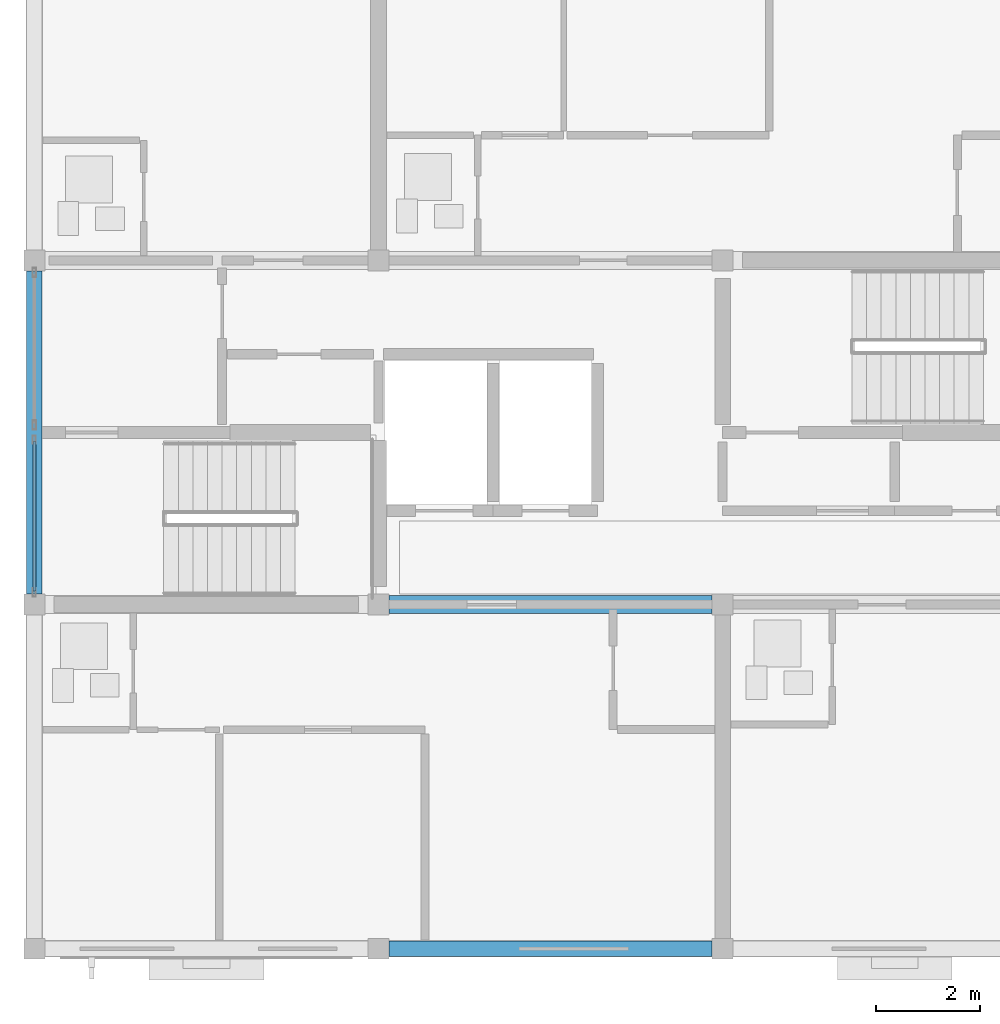
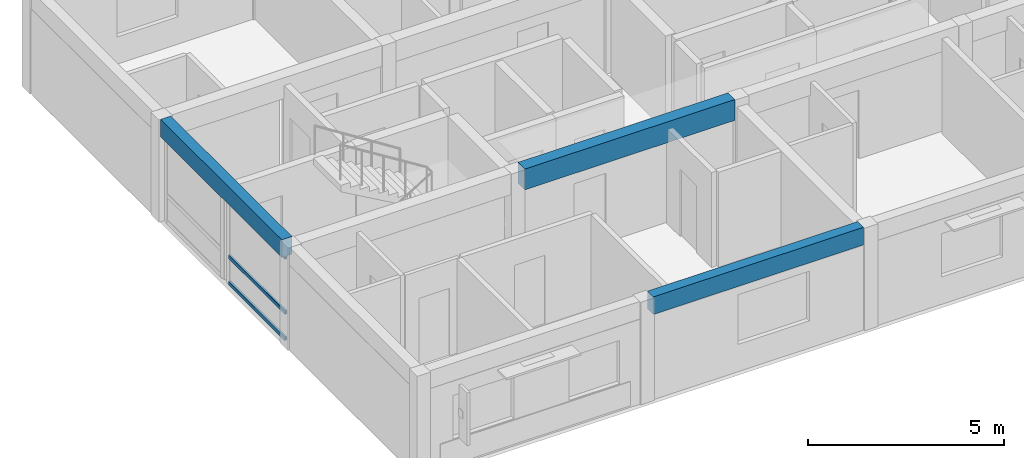
# One storey, part 5 of 53: 3 beams, 3 members, 1 element without a shape of its own.
"""IFC4 building model written with IfcOpenShell, lengths in metres."""

from ifc_helpers import new_model, si_unit, direction, frame, origin, origin_2d, place, context, subcontext, project, spatial, rectangle, hollow_rectangle, extrude, material, material_profile, profile_set, type_object, element, aggregate, save


model = new_model("IFC4")

# Units and contexts
model_context = context("Model", 3, precision=1e-05, world=origin(), true_north=direction((0.0, 1.0)))
body_context = subcontext(model_context, "Body", "Model", "MODEL_VIEW")
ifc_project = project(units=[si_unit("LENGTHUNIT", "METRE"), si_unit("AREAUNIT", "SQUARE_METRE"), si_unit("VOLUMEUNIT", "CUBIC_METRE"), si_unit("PLANEANGLEUNIT", "RADIAN"), si_unit("MASSUNIT", "GRAM", prefix="KILO")], contexts=[model_context])

# Site, building, storey
site_placement = place(None, origin())
site = spatial("IfcSite", under=ifc_project, at=site_placement, CompositionType="ELEMENT")
building_placement = place(site_placement, origin())
building = spatial("IfcBuilding", under=site, at=building_placement, Name="Kernevlak Ridge Housing Community", CompositionType="ELEMENT")
storey_placement = place(building_placement, frame((0.0, 0.0, 18.0)))
storey = spatial("IfcBuildingStorey", under=building, at=storey_placement, Name="L05", CompositionType="ELEMENT", Elevation=18.0)

# Beams
ifc_material_1 = material(Name="Concrete C35/45", Category="concrete")
ifc_material_profile_1 = material_profile(ifc_material_1, rectangle(XDim=0.35009765625, YDim=0.64990234375, at=origin_2d()), Name="RC 350x650")
ifc_profile_set_1 = profile_set([ifc_material_profile_1], Name="Concrete C35/45")
beam_type_1 = type_object("IfcBeamType", Name="B-02", PredefinedType="BEAM", material=ifc_profile_set_1)
beam_placement = place(storey_placement, frame((22.39990234375, 22.199951171875, 2.875), z_axis=(1.0, 0.0, 0.0), x_axis=(0.0, 1.0, 0.0)))
element("IfcBeam", 1, at=beam_placement, inside=storey, type_object=beam_type_1, Name="Beam B-02 L05 1437", PredefinedType="BEAM", context=body_context, shape_type="SweptSolid", body=[
    extrude(rectangle(XDim=0.35009765625, YDim=0.64990234375, at=origin_2d()), origin(), (0.0, 0.0, 1.0), 6.2001953125),
])
ifc_material_profile_2 = material_profile(ifc_material_1, rectangle(XDim=0.300048828125, YDim=0.550048828125, at=origin_2d()), Name="RC 300x550")
ifc_profile_set_2 = profile_set([ifc_material_profile_2], Name="Concrete C35/45")
beam_type_2 = type_object("IfcBeamType", Name="SP-01", PredefinedType="SPANDREL", material=ifc_profile_set_2)
for number, where, z_axis, x_axis, name in (
    (2, (22.39990234375, 15.60009765625, 2.925048828125), (1.0, 0.0, 0.0), (0.0, 1.0, 0.0), "Beam SP-01 L05 1433"),
    (3, (15.60009765625, 22.39990234375, 2.925048828125), (0.0, 1.0, 0.0), (-1.0, 0.0, 0.0), "Beam SP-01 L05 1449"),
):
    element("IfcBeam", number, at=place(storey_placement, frame(where, z_axis=z_axis, x_axis=x_axis)), inside=storey, type_object=beam_type_2, Name=name, PredefinedType="SPANDREL", context=body_context, shape_type="SweptSolid", body=[
        extrude(rectangle(XDim=0.300048828125, YDim=0.550048828125, at=origin_2d()), origin(), (0.0, 0.0, 1.0), 6.2001953125),
    ])

# Curtain wall, members
ifc_material_2 = material(Name="Aluminium EN AW-6060 anodised and laminated glass", Category="aluminium")
curtain_wall_type = type_object("IfcCurtainWallType", Name="CW-10", PredefinedType="NOTDEFINED", material=ifc_material_2)
curtain_wall_placement = place(storey_placement, origin())
curtain_wall = element("IfcCurtainWall", 4, at=curtain_wall_placement, inside=storey, type_object=curtain_wall_type, Name="Curtain wall CW-10 CW-L05-154", PredefinedType="NOTDEFINED")
ifc_material_3 = material(Name="Aluminium EN AW-6060 anodised", Category="aluminium")
ifc_material_profile_3 = material_profile(ifc_material_3, hollow_rectangle(XDim=0.06005859375, YDim=0.1201171875, WallThickness=0.00390625, InnerFilletRadius=0.001953125, OuterFilletRadius=0.00390625, at=origin_2d()), Name="ALU 60x120x4")
ifc_profile_set_3 = profile_set([ifc_material_profile_3], Name="Aluminium EN AW-6060 anodised")
member_type = type_object("IfcMemberType", Name="TM-02", PredefinedType="USERDEFINED", material=ifc_profile_set_3)
member_1_placement = place(storey_placement, frame((15.60009765625, 22.4599609375, 0.030029296875), z_axis=(0.0, 1.0, 0.0), x_axis=(-1.0, 0.0, 0.0)))
member_1 = element("IfcMember", 5, at=member_1_placement, type_object=member_type, Name="CW-10 transom 1.1", ObjectType="TRANSOM", PredefinedType="USERDEFINED", context=body_context, shape_type="SweptSolid", body=[
    extrude(hollow_rectangle(XDim=0.06005859375, YDim=0.1201171875, WallThickness=0.00390625, InnerFilletRadius=0.001953125, OuterFilletRadius=0.00390625, at=origin_2d()), origin(), (0.0, 0.0, 1.0), 2.8701171875),
])
member_2_placement = place(storey_placement, frame((15.60009765625, 22.4599609375, 0.85009765625), z_axis=(0.0, 1.0, 0.0), x_axis=(-1.0, 0.0, 0.0)))
member_2 = element("IfcMember", 6, at=member_2_placement, type_object=member_type, Name="CW-10 transom 1.2", ObjectType="TRANSOM", PredefinedType="USERDEFINED", context=body_context, shape_type="SweptSolid", body=[
    extrude(hollow_rectangle(XDim=0.06005859375, YDim=0.1201171875, WallThickness=0.00390625, InnerFilletRadius=0.001953125, OuterFilletRadius=0.00390625, at=origin_2d()), origin(), (0.0, 0.0, 1.0), 2.8701171875),
])
member_3_placement = place(storey_placement, frame((15.60009765625, 22.4599609375, 2.570068359375), z_axis=(0.0, 1.0, 0.0), x_axis=(-1.0, 0.0, 0.0)))
member_3 = element("IfcMember", 7, at=member_3_placement, type_object=member_type, Name="CW-10 transom 1.3", ObjectType="TRANSOM", PredefinedType="USERDEFINED", context=body_context, shape_type="SweptSolid", body=[
    extrude(hollow_rectangle(XDim=0.06005859375, YDim=0.1201171875, WallThickness=0.00390625, InnerFilletRadius=0.001953125, OuterFilletRadius=0.00390625, at=origin_2d()), origin(), (0.0, 0.0, 1.0), 2.8701171875),
])
aggregate(curtain_wall, [member_1, member_2, member_3])

save(model, "model.ifc")
